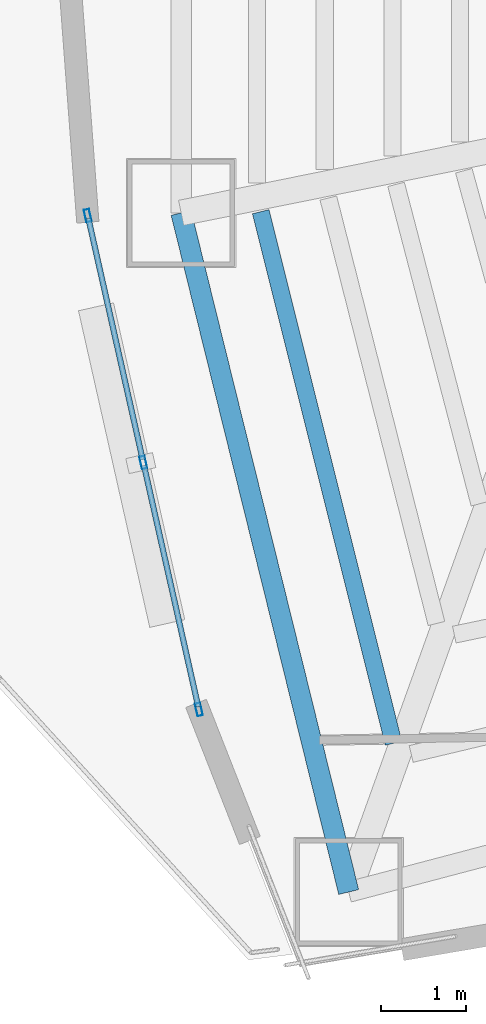
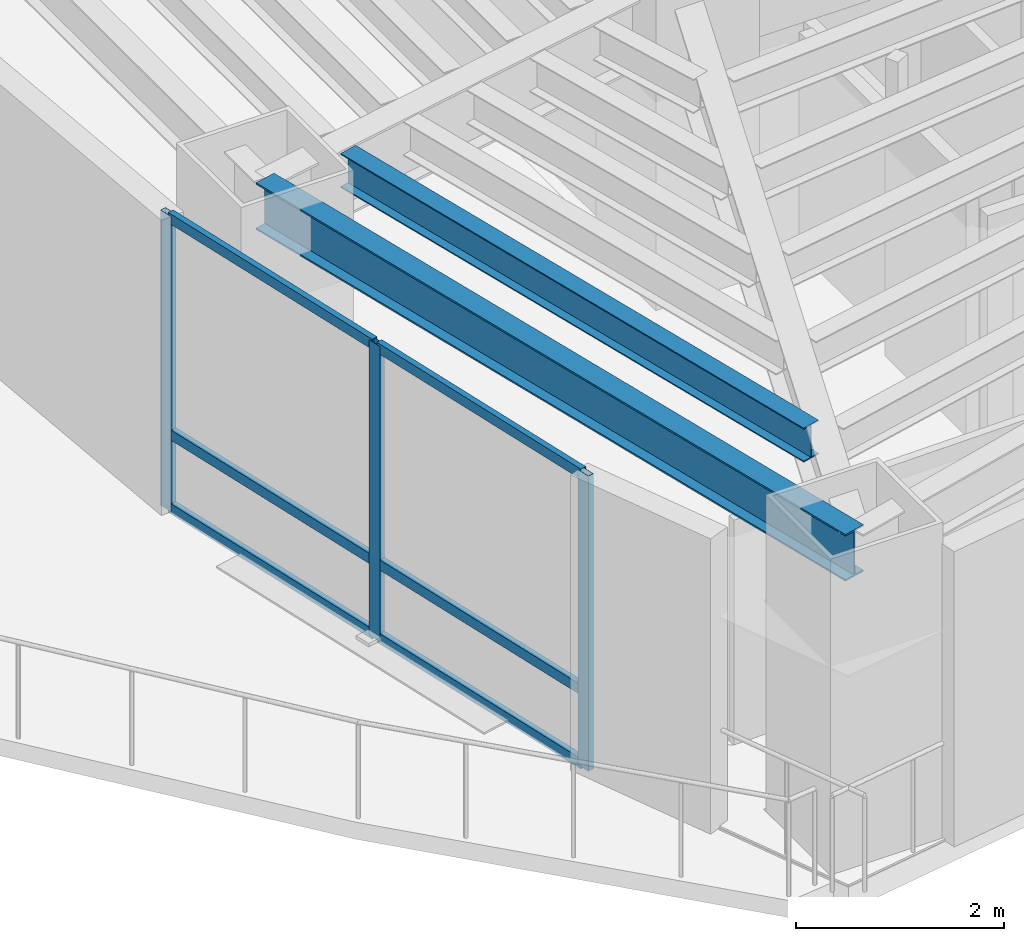
# One storey, part 2 of 19: 9 members, 2 beams, 1 element without a shape of its own.
"""IFC4 building model written with IfcOpenShell, lengths in metres."""

from ifc_helpers import new_model, si_unit, direction, frame, origin, origin_2d, place, context, subcontext, project, spatial, hollow_rectangle, i_section, extrude, material, layer, layer_set, material_profile, profile_set, type_object, element, aggregate, save


model = new_model("IFC4")

# Units and contexts
model_context = context("Model", 3, precision=1e-05, world=origin(), true_north=direction((0.0, 1.0)))
body_context = subcontext(model_context, "Body", "Model", "MODEL_VIEW")
ifc_project = project(units=[si_unit("LENGTHUNIT", "METRE"), si_unit("AREAUNIT", "SQUARE_METRE"), si_unit("VOLUMEUNIT", "CUBIC_METRE"), si_unit("PLANEANGLEUNIT", "RADIAN"), si_unit("MASSUNIT", "GRAM", prefix="KILO")], contexts=[model_context])

# Site, building, storey
site_placement = place(None, origin())
site = spatial("IfcSite", under=ifc_project, at=site_placement, CompositionType="ELEMENT")
building_placement = place(site_placement, origin())
building = spatial("IfcBuilding", under=site, at=building_placement, Name="Menara Vayukalpa", CompositionType="ELEMENT")
storey_placement = place(building_placement, frame((0.0, 0.0, 118.860107421875)))
storey = spatial("IfcBuildingStorey", under=building, at=storey_placement, Name="L29", CompositionType="ELEMENT", Elevation=118.860107421875)

# Beams
ifc_material_1 = material(Name="Steel S355", Category="steel")
ifc_material_profile_1 = material_profile(ifc_material_1, i_section(OverallWidth=0.199951171875, OverallDepth=0.39990234375, WebThickness=0.008056640625, FlangeThickness=0.012939453125, at=origin_2d()), Name="WF 400x200x8x13")
ifc_profile_set_1 = profile_set([ifc_material_profile_1], Name="Steel S355")
beam_type_1 = type_object("IfcBeamType", Name="BM-SJ2", PredefinedType="JOIST", material=ifc_profile_set_1)
beam_1_placement = place(storey_placement, frame((13.53857421875, 16.168701171875, 3.269775390625), z_axis=(0.242481900969, -0.970155929582, 0.0), x_axis=(0.970155929582, 0.242481900969, 0.0)))
element("IfcBeam", 1, at=beam_1_placement, inside=storey, type_object=beam_type_1, Name="L29 Secondary Floor Joist SJ06-5", PredefinedType="JOIST", context=body_context, shape_type="SweptSolid", body=[
    extrude(i_section(OverallWidth=0.199951171875, OverallDepth=0.39990234375, WebThickness=0.008056640625, FlangeThickness=0.012939453125, at=origin_2d()), origin(), (0.0, 0.0, 1.0), 6.41552734375),
])
ifc_material_2 = material(Name="Steel S355", Category="steel")
ifc_material_profile_2 = material_profile(ifc_material_2, i_section(OverallWidth=0.239990234375, OverallDepth=0.550048828125, WebThickness=0.010986328125, FlangeThickness=0.01904296875, at=origin_2d()), Name="WF 550x240x11x19")
ifc_profile_set_2 = profile_set([ifc_material_profile_2], Name="Steel S355")
beam_type_2 = type_object("IfcBeamType", Name="BM-SP2", PredefinedType="SPANDREL", material=ifc_profile_set_2)
beam_2_placement = place(storey_placement, frame((12.606689453125, 16.154296875, 3.19482421875), z_axis=(0.239602739234, -0.970871014786, 0.0), x_axis=(0.970871014786, 0.239602739234, 0.0)))
element("IfcBeam", 2, at=beam_2_placement, inside=storey, type_object=beam_type_2, Name="L29 Perimeter Spandrel Beam SP06", PredefinedType="SPANDREL", context=body_context, shape_type="SweptSolid", body=[
    extrude(i_section(OverallWidth=0.239990234375, OverallDepth=0.550048828125, WebThickness=0.010986328125, FlangeThickness=0.01904296875, at=origin_2d()), origin(), (0.0, 0.0, 1.0), 8.190185546875),
])

# Curtain wall, members
ifc_material_3 = material(Name="Anodised Terracotta Aluminium Alloy 6063-T6", Category="masonry")
ifc_layer = layer(ifc_material_3, 0.14990234375)
ifc_layer_set = layer_set([ifc_layer], Name="Anodised Terracotta Aluminium Alloy 6063-T6")
curtain_wall_type = type_object("IfcCurtainWallType", Name="CW-CW3", PredefinedType="USERDEFINED", material=ifc_layer_set)
curtain_wall_placement = place(storey_placement, origin())
curtain_wall = element("IfcCurtainWall", 3, at=curtain_wall_placement, inside=storey, type_object=curtain_wall_type, Name="L29 Mid Rise Terracotta Ribbon Curtain Wall CW3 13", ObjectType="UNITISED", PredefinedType="USERDEFINED")
ifc_material_4 = material(Name="Anodised Terracotta Aluminium Alloy 6063-T6", Category="masonry")
ifc_material_profile_3 = material_profile(ifc_material_4, hollow_rectangle(XDim=0.06494140625, YDim=0.14990234375, WallThickness=0.00341796875, at=origin_2d()), Name="ALU 65x150x3.5")
ifc_profile_set_3 = profile_set([ifc_material_profile_3], Name="Anodised Terracotta Aluminium Alloy 6063-T6")
member_type_1 = type_object("IfcMemberType", Name="CWM-CW3", PredefinedType="MULLION", material=ifc_profile_set_3)
member_1_placement = place(storey_placement, frame((11.513671875, 16.12255859375, 0.0), z_axis=(0.0, 0.0, 1.0), x_axis=(0.975609130617, 0.219514975016, 0.0)))
member_1 = element("IfcMember", 4, at=member_1_placement, type_object=member_type_1, Name="CW3 mullion 1", PredefinedType="MULLION", context=body_context, shape_type="SweptSolid", body=[
    extrude(hollow_rectangle(XDim=0.06494140625, YDim=0.14990234375, WallThickness=0.00341796875, at=origin_2d()), origin(), (0.0, 0.0, 1.0), 3.469970703125),
])
member_2_placement = place(storey_placement, frame((12.164306640625, 13.2314453125, 0.0), z_axis=(0.0, 0.0, 1.0), x_axis=(0.975609130617, 0.219514975016, 0.0)))
member_2 = element("IfcMember", 5, at=member_2_placement, type_object=member_type_1, Name="CW3 mullion 2", PredefinedType="MULLION", context=body_context, shape_type="SweptSolid", body=[
    extrude(hollow_rectangle(XDim=0.06494140625, YDim=0.14990234375, WallThickness=0.00341796875, at=origin_2d()), origin(), (0.0, 0.0, 1.0), 3.469970703125),
])
member_3_placement = place(storey_placement, frame((12.814697265625, 10.34033203125, 0.0), z_axis=(0.0, 0.0, 1.0), x_axis=(0.975609130617, 0.219514975016, 0.0)))
member_3 = element("IfcMember", 6, at=member_3_placement, type_object=member_type_1, Name="CW3 mullion 3", PredefinedType="MULLION", context=body_context, shape_type="SweptSolid", body=[
    extrude(hollow_rectangle(XDim=0.06494140625, YDim=0.14990234375, WallThickness=0.00341796875, at=origin_2d()), origin(), (0.0, 0.0, 1.0), 3.469970703125),
])
ifc_material_5 = material(Name="Anodised Terracotta Aluminium Alloy 6063-T6", Category="masonry")
ifc_material_profile_4 = material_profile(ifc_material_5, hollow_rectangle(XDim=0.06494140625, YDim=0.1201171875, WallThickness=0.00341796875, at=origin_2d()), Name="ALU 65x120x3.5")
ifc_profile_set_4 = profile_set([ifc_material_profile_4], Name="Anodised Terracotta Aluminium Alloy 6063-T6")
member_type_2 = type_object("IfcMemberType", Name="CWT-CW3", PredefinedType="USERDEFINED", material=ifc_profile_set_4)
member_4_placement = place(storey_placement, frame((11.520751953125, 16.0908203125, 0.032470703125), z_axis=(0.219596377559, -0.975590811233, 0.0), x_axis=(0.975590811233, 0.219596377559, 0.0)))
member_4 = element("IfcMember", 7, at=member_4_placement, type_object=member_type_2, Name="CW3 transom 1.1", ObjectType="TRANSOM", PredefinedType="USERDEFINED", context=body_context, shape_type="SweptSolid", body=[
    extrude(hollow_rectangle(XDim=0.06494140625, YDim=0.1201171875, WallThickness=0.00341796875, at=origin_2d()), origin(), (0.0, 0.0, 1.0), 2.8984375),
])
member_5_placement = place(storey_placement, frame((11.520751953125, 16.0908203125, 0.89990234375), z_axis=(0.219596377559, -0.975590811233, 0.0), x_axis=(0.975590811233, 0.219596377559, 0.0)))
member_5 = element("IfcMember", 8, at=member_5_placement, type_object=member_type_2, Name="CW3 transom 1.2", ObjectType="TRANSOM", PredefinedType="USERDEFINED", context=body_context, shape_type="SweptSolid", body=[
    extrude(hollow_rectangle(XDim=0.06494140625, YDim=0.1201171875, WallThickness=0.00341796875, at=origin_2d()), origin(), (0.0, 0.0, 1.0), 2.8984375),
])
member_6_placement = place(storey_placement, frame((11.520751953125, 16.0908203125, 3.4375), z_axis=(0.219596377559, -0.975590811233, 0.0), x_axis=(0.975590811233, 0.219596377559, 0.0)))
member_6 = element("IfcMember", 9, at=member_6_placement, type_object=member_type_2, Name="CW3 transom 1.3", ObjectType="TRANSOM", PredefinedType="USERDEFINED", context=body_context, shape_type="SweptSolid", body=[
    extrude(hollow_rectangle(XDim=0.06494140625, YDim=0.1201171875, WallThickness=0.00341796875, at=origin_2d()), origin(), (0.0, 0.0, 1.0), 2.8984375),
])
member_7_placement = place(storey_placement, frame((12.17138671875, 13.19970703125, 0.032470703125), z_axis=(0.219516203921, -0.975608854109, 0.0), x_axis=(0.975608854109, 0.219516203921, 0.0)))
member_7 = element("IfcMember", 10, at=member_7_placement, type_object=member_type_2, Name="CW3 transom 2.1", ObjectType="TRANSOM", PredefinedType="USERDEFINED", context=body_context, shape_type="SweptSolid", body=[
    extrude(hollow_rectangle(XDim=0.06494140625, YDim=0.1201171875, WallThickness=0.00341796875, at=origin_2d()), origin(), (0.0, 0.0, 1.0), 2.8984375),
])
member_8_placement = place(storey_placement, frame((12.17138671875, 13.19970703125, 0.89990234375), z_axis=(0.219516203921, -0.975608854109, 0.0), x_axis=(0.975608854109, 0.219516203921, 0.0)))
member_8 = element("IfcMember", 11, at=member_8_placement, type_object=member_type_2, Name="CW3 transom 2.2", ObjectType="TRANSOM", PredefinedType="USERDEFINED", context=body_context, shape_type="SweptSolid", body=[
    extrude(hollow_rectangle(XDim=0.06494140625, YDim=0.1201171875, WallThickness=0.00341796875, at=origin_2d()), origin(), (0.0, 0.0, 1.0), 2.8984375),
])
member_9_placement = place(storey_placement, frame((12.17138671875, 13.19970703125, 3.4375), z_axis=(0.219516203921, -0.975608854109, 0.0), x_axis=(0.975608854109, 0.219516203921, 0.0)))
member_9 = element("IfcMember", 12, at=member_9_placement, type_object=member_type_2, Name="CW3 transom 2.3", ObjectType="TRANSOM", PredefinedType="USERDEFINED", context=body_context, shape_type="SweptSolid", body=[
    extrude(hollow_rectangle(XDim=0.06494140625, YDim=0.1201171875, WallThickness=0.00341796875, at=origin_2d()), origin(), (0.0, 0.0, 1.0), 2.8984375),
])
aggregate(curtain_wall, [member_1, member_2, member_3, member_4, member_5, member_6, member_7, member_8, member_9])

save(model, "model.ifc")
